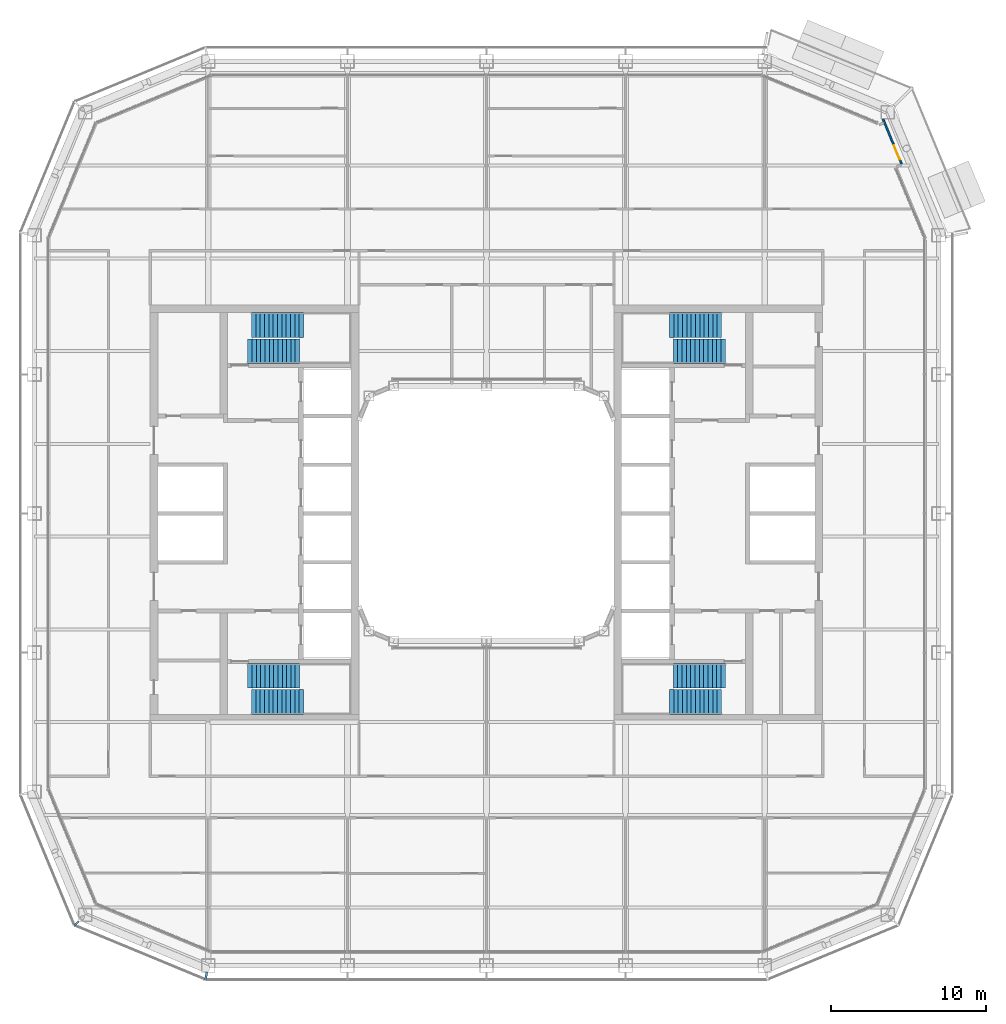
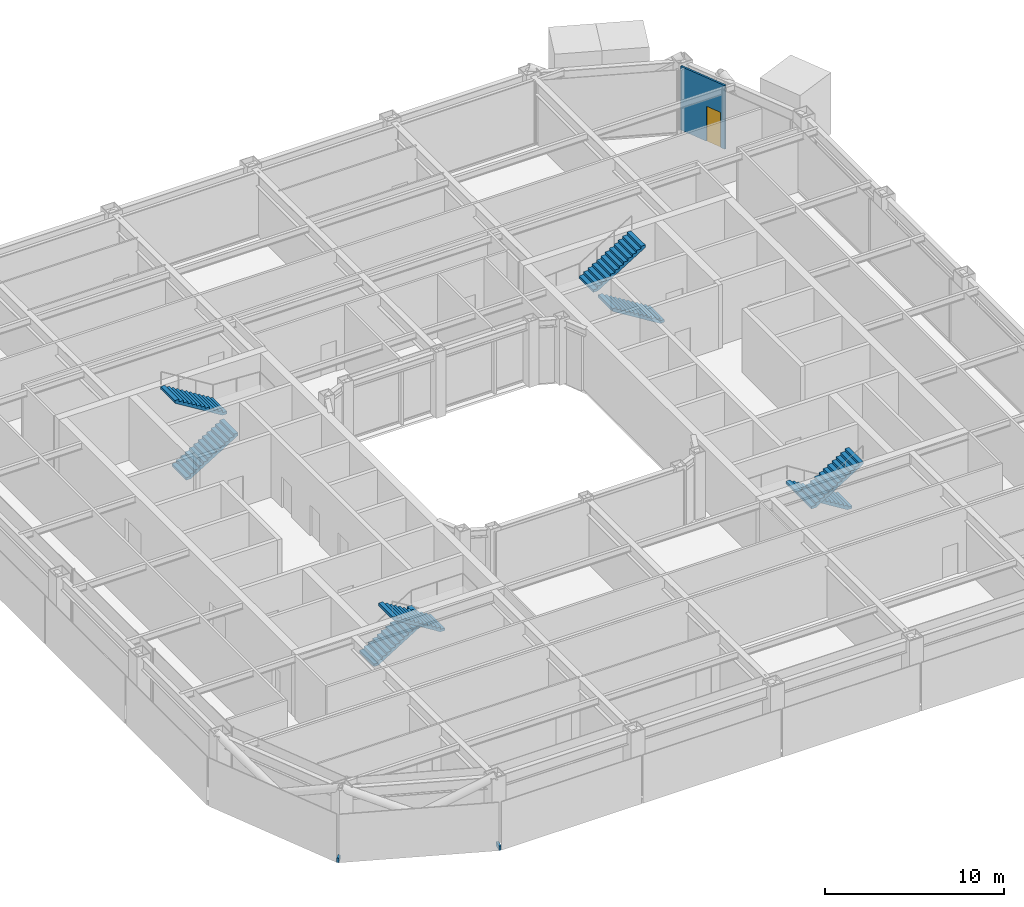
# One storey, part 15 of 24: 8 stair flights, 2 discrete accessories, 1 door, 1 wall, 1 opening, 4 elements without a shape of their own.
"""IFC4 building model written with IfcOpenShell, lengths in metres."""

from ifc_helpers import new_model, si_unit, direction, frame, frame_2d, origin, origin_2d, place, context, subcontext, project, spatial, polyline, rectangle, outline, extrude, material, layer, layer_set, type_object, element, fill, aggregate, save


model = new_model("IFC4")

# Units and contexts
model_context = context("Model", 3, precision=1e-05, world=origin(), true_north=direction((0.0, 1.0)))
body_context = subcontext(model_context, "Body", "Model", "MODEL_VIEW")
ifc_project = project(units=[si_unit("LENGTHUNIT", "METRE"), si_unit("AREAUNIT", "SQUARE_METRE"), si_unit("VOLUMEUNIT", "CUBIC_METRE"), si_unit("PLANEANGLEUNIT", "RADIAN"), si_unit("MASSUNIT", "GRAM", prefix="KILO")], contexts=[model_context])

# Site, building, storey
site_placement = place(None, origin())
site = spatial("IfcSite", under=ifc_project, at=site_placement, CompositionType="ELEMENT")
building_placement = place(site_placement, origin())
building = spatial("IfcBuilding", under=site, at=building_placement, Name="Siwar Civic Tower", CompositionType="ELEMENT")
storey_placement = place(building_placement, frame((0.0, 0.0, 149.699951171875)))
storey = spatial("IfcBuildingStorey", under=building, at=storey_placement, Name="L32", CompositionType="ELEMENT", Elevation=149.699951171875)

# Wall, opening, door
ifc_material_1 = material(Name="Aluminium clad insulated panel", Category="aluminium")
ifc_layer = layer(ifc_material_1, 0.1201171875)
ifc_layer_set = layer_set([ifc_layer], Name="Aluminium clad insulated panel")
wall_type = type_object("IfcWallType", Name="ENV-WALL-BAL", PredefinedType="STANDARD", material=ifc_layer_set)
wall_placement = place(storey_placement, frame((26.8515625, 22.614501953125, 0.0), z_axis=(0.0, 0.0, 1.0), x_axis=(-0.382691800707, 0.923876066186, 0.0)))
wall = element("IfcWall", 1, at=wall_placement, inside=storey, type_object=wall_type, Name="Balcony door wall NE1", PredefinedType="STANDARD", context=body_context, shape_type="SweptSolid", body=[
    extrude(rectangle(XDim=3.12841796875, YDim=0.1201171875, at=frame_2d((1.564208984375, 0.0))), origin(), (0.0, 0.0, 1.0), 4.35009765625),
])
opening_placement = place(wall_placement, frame((0.300048828125, 0.0, 0.0)))
opening = element("IfcOpeningElement", 2, at=opening_placement, cuts=wall, Name="Opening D-BAL", PredefinedType="OPENING", context=body_context, shape_type="SweptSolid", body=[
    extrude(rectangle(XDim=1.0, YDim=2.39990234375, at=frame_2d((0.5, 1.199951171875))), frame((0.0, 0.070068359375, 0.0), z_axis=(0.0, -1.0, 0.0), x_axis=(1.0, 0.0, 0.0)), (0.0, 0.0, 1.0), 0.14013671875),
])
ifc_material_2 = material(Name="Aluminium and glass", Category="aluminium")
door_type = type_object("IfcDoorType", Name="ENV-DOOR-BAL", OperationType="SINGLE_SWING_LEFT", PredefinedType="DOOR", material=ifc_material_2)
door_placement = place(opening_placement, origin())
door = element("IfcDoor", 3, at=door_placement, inside=storey, type_object=door_type, Name="Balcony door NE", OperationType="SINGLE_SWING_LEFT", OverallHeight=2.39990234375, OverallWidth=1.0, PredefinedType="DOOR", context=body_context, shape_type="SweptSolid", body=[
    extrude(rectangle(XDim=1.0, YDim=2.39990234375, at=frame_2d((0.5, 1.199951171875))), frame((0.0, 0.02490234375, 0.0), z_axis=(0.0, -1.0, 0.0), x_axis=(1.0, 0.0, 0.0)), (0.0, 0.0, 1.0), 0.050048828125),
])
fill(opening, door)

# Stair, stair flights
ifc_material_3 = material(Name="Concrete C40/50", Category="concrete")
stair_type = type_object("IfcStairType", Name="CORE-STAIR", PredefinedType="TWO_STRAIGHT_RUN_STAIR", material=ifc_material_3)
stair_1_placement = place(storey_placement, origin())
stair_1 = element("IfcStair", 4, at=stair_1_placement, inside=storey, type_object=stair_type, Name="Exit stair ST1", PredefinedType="TWO_STRAIGHT_RUN_STAIR")
ifc_material_4 = material(Name="Concrete C40/50", Category="concrete")
stair_flight_type = type_object("IfcStairFlightType", Name="CORE-STAIR-FLIGHT", PredefinedType="STRAIGHT", material=ifc_material_4)
stair_flight_1_placement = place(storey_placement, frame((-15.449951171875, 10.5, 0.0), z_axis=(0.0, 0.0, 1.0), x_axis=(1.0, 0.0, 0.0)))
stair_flight_1 = element("IfcStairFlight", 5, at=stair_flight_1_placement, type_object=stair_flight_type, Name="ST1 flight 1", NumberOfRisers=13, NumberOfTreads=12, PredefinedType="STRAIGHT", RiserHeight=0.173076923, TreadLength=0.28, context=body_context, shape_type="SweptSolid", body=[
    extrude(outline(polyline([(0.0, 0.0), (0.0, 0.173095703125), (0.280029296875, 0.173095703125), (0.280029296875, 0.34619140625), (0.56005859375, 0.34619140625), (0.56005859375, 0.519287109375), (0.840087890625, 0.519287109375), (0.840087890625, 0.6923828125), (1.1201171875, 0.6923828125), (1.1201171875, 0.865478515625), (1.39990234375, 0.865478515625), (1.39990234375, 1.03857421875), (1.679931640625, 1.03857421875), (1.679931640625, 1.21142578125), (1.9599609375, 1.21142578125), (1.9599609375, 1.384521484375), (2.239990234375, 1.384521484375), (2.239990234375, 1.5576171875), (2.52001953125, 1.5576171875), (2.52001953125, 1.730712890625), (2.800048828125, 1.730712890625), (2.800048828125, 1.90380859375), (3.080078125, 1.90380859375), (3.080078125, 2.076904296875), (3.360107421875, 2.076904296875), (3.360107421875, 2.25), (3.360107421875, 1.900634765625), (0.28515625, 0.0), (0.0, 0.0)])), frame((0.0, 0.800048828125, 0.0), z_axis=(0.0, -1.0, 0.0), x_axis=(1.0, 0.0, 0.0)), (0.0, 0.0, 1.0), 1.60009765625),
])
stair_flight_2_placement = place(storey_placement, frame((-11.840087890625, 12.199951171875, 2.25), z_axis=(0.0, 0.0, 1.0), x_axis=(-1.0, 0.0, 0.0)))
stair_flight_2 = element("IfcStairFlight", 6, at=stair_flight_2_placement, type_object=stair_flight_type, Name="ST1 flight 2", NumberOfRisers=13, NumberOfTreads=12, PredefinedType="STRAIGHT", RiserHeight=0.173076923, TreadLength=0.28, context=body_context, shape_type="SweptSolid", body=[
    extrude(outline(polyline([(0.0, 0.0), (0.0, 0.173095703125), (0.280029296875, 0.173095703125), (0.280029296875, 0.34619140625), (0.56005859375, 0.34619140625), (0.56005859375, 0.519287109375), (0.840087890625, 0.519287109375), (0.840087890625, 0.6923828125), (1.1201171875, 0.6923828125), (1.1201171875, 0.865478515625), (1.39990234375, 0.865478515625), (1.39990234375, 1.03857421875), (1.679931640625, 1.03857421875), (1.679931640625, 1.21142578125), (1.9599609375, 1.21142578125), (1.9599609375, 1.384521484375), (2.239990234375, 1.384521484375), (2.239990234375, 1.5576171875), (2.52001953125, 1.5576171875), (2.52001953125, 1.730712890625), (2.800048828125, 1.730712890625), (2.800048828125, 1.90380859375), (3.080078125, 1.90380859375), (3.080078125, 2.076904296875), (3.360107421875, 2.076904296875), (3.360107421875, 2.25), (3.360107421875, 1.900634765625), (0.28515625, 0.0), (0.0, 0.0)])), frame((0.0, 0.800048828125, 0.0), z_axis=(0.0, -1.0, 0.0), x_axis=(1.0, 0.0, 0.0)), (0.0, 0.0, 1.0), 1.60009765625),
])
aggregate(stair_1, [stair_flight_1, stair_flight_2])

stair_2_placement = place(storey_placement, origin())
stair_2 = element("IfcStair", 7, at=stair_2_placement, inside=storey, type_object=stair_type, Name="Exit stair ST2", PredefinedType="TWO_STRAIGHT_RUN_STAIR")
stair_flight_3_placement = place(storey_placement, frame((-15.449951171875, -10.5, 0.0), z_axis=(0.0, 0.0, 1.0), x_axis=(1.0, 0.0, 0.0)))
stair_flight_3 = element("IfcStairFlight", 8, at=stair_flight_3_placement, type_object=stair_flight_type, Name="ST2 flight 1", NumberOfRisers=13, NumberOfTreads=12, PredefinedType="STRAIGHT", RiserHeight=0.173076923, TreadLength=0.28, context=body_context, shape_type="SweptSolid", body=[
    extrude(outline(polyline([(0.0, 0.0), (0.0, 0.173095703125), (0.280029296875, 0.173095703125), (0.280029296875, 0.34619140625), (0.56005859375, 0.34619140625), (0.56005859375, 0.519287109375), (0.840087890625, 0.519287109375), (0.840087890625, 0.6923828125), (1.1201171875, 0.6923828125), (1.1201171875, 0.865478515625), (1.39990234375, 0.865478515625), (1.39990234375, 1.03857421875), (1.679931640625, 1.03857421875), (1.679931640625, 1.21142578125), (1.9599609375, 1.21142578125), (1.9599609375, 1.384521484375), (2.239990234375, 1.384521484375), (2.239990234375, 1.5576171875), (2.52001953125, 1.5576171875), (2.52001953125, 1.730712890625), (2.800048828125, 1.730712890625), (2.800048828125, 1.90380859375), (3.080078125, 1.90380859375), (3.080078125, 2.076904296875), (3.360107421875, 2.076904296875), (3.360107421875, 2.25), (3.360107421875, 1.900634765625), (0.28515625, 0.0), (0.0, 0.0)])), frame((0.0, 0.800048828125, 0.0), z_axis=(0.0, -1.0, 0.0), x_axis=(1.0, 0.0, 0.0)), (0.0, 0.0, 1.0), 1.60009765625),
])
stair_flight_4_placement = place(storey_placement, frame((-11.840087890625, -12.199951171875, 2.25), z_axis=(0.0, 0.0, 1.0), x_axis=(-1.0, 0.0, 0.0)))
stair_flight_4 = element("IfcStairFlight", 9, at=stair_flight_4_placement, type_object=stair_flight_type, Name="ST2 flight 2", NumberOfRisers=13, NumberOfTreads=12, PredefinedType="STRAIGHT", RiserHeight=0.173076923, TreadLength=0.28, context=body_context, shape_type="SweptSolid", body=[
    extrude(outline(polyline([(0.0, 0.0), (0.0, 0.173095703125), (0.280029296875, 0.173095703125), (0.280029296875, 0.34619140625), (0.56005859375, 0.34619140625), (0.56005859375, 0.519287109375), (0.840087890625, 0.519287109375), (0.840087890625, 0.6923828125), (1.1201171875, 0.6923828125), (1.1201171875, 0.865478515625), (1.39990234375, 0.865478515625), (1.39990234375, 1.03857421875), (1.679931640625, 1.03857421875), (1.679931640625, 1.21142578125), (1.9599609375, 1.21142578125), (1.9599609375, 1.384521484375), (2.239990234375, 1.384521484375), (2.239990234375, 1.5576171875), (2.52001953125, 1.5576171875), (2.52001953125, 1.730712890625), (2.800048828125, 1.730712890625), (2.800048828125, 1.90380859375), (3.080078125, 1.90380859375), (3.080078125, 2.076904296875), (3.360107421875, 2.076904296875), (3.360107421875, 2.25), (3.360107421875, 1.900634765625), (0.28515625, 0.0), (0.0, 0.0)])), frame((0.0, 0.800048828125, 0.0), z_axis=(0.0, -1.0, 0.0), x_axis=(1.0, 0.0, 0.0)), (0.0, 0.0, 1.0), 1.60009765625),
])
aggregate(stair_2, [stair_flight_3, stair_flight_4])

stair_3_placement = place(storey_placement, origin())
stair_3 = element("IfcStair", 10, at=stair_3_placement, inside=storey, type_object=stair_type, Name="Exit stair ST3", PredefinedType="TWO_STRAIGHT_RUN_STAIR")
stair_flight_5_placement = place(storey_placement, frame((15.449951171875, 10.5, 0.0), z_axis=(0.0, 0.0, 1.0), x_axis=(-1.0, 0.0, 0.0)))
stair_flight_5 = element("IfcStairFlight", 11, at=stair_flight_5_placement, type_object=stair_flight_type, Name="ST3 flight 1", NumberOfRisers=13, NumberOfTreads=12, PredefinedType="STRAIGHT", RiserHeight=0.173076923, TreadLength=0.28, context=body_context, shape_type="SweptSolid", body=[
    extrude(outline(polyline([(0.0, 0.0), (0.0, 0.173095703125), (0.280029296875, 0.173095703125), (0.280029296875, 0.34619140625), (0.56005859375, 0.34619140625), (0.56005859375, 0.519287109375), (0.840087890625, 0.519287109375), (0.840087890625, 0.6923828125), (1.1201171875, 0.6923828125), (1.1201171875, 0.865478515625), (1.39990234375, 0.865478515625), (1.39990234375, 1.03857421875), (1.679931640625, 1.03857421875), (1.679931640625, 1.21142578125), (1.9599609375, 1.21142578125), (1.9599609375, 1.384521484375), (2.239990234375, 1.384521484375), (2.239990234375, 1.5576171875), (2.52001953125, 1.5576171875), (2.52001953125, 1.730712890625), (2.800048828125, 1.730712890625), (2.800048828125, 1.90380859375), (3.080078125, 1.90380859375), (3.080078125, 2.076904296875), (3.360107421875, 2.076904296875), (3.360107421875, 2.25), (3.360107421875, 1.900634765625), (0.28515625, 0.0), (0.0, 0.0)])), frame((0.0, 0.800048828125, 0.0), z_axis=(0.0, -1.0, 0.0), x_axis=(1.0, 0.0, 0.0)), (0.0, 0.0, 1.0), 1.60009765625),
])
stair_flight_6_placement = place(storey_placement, frame((11.840087890625, 12.199951171875, 2.25), z_axis=(0.0, 0.0, 1.0), x_axis=(1.0, 0.0, 0.0)))
stair_flight_6 = element("IfcStairFlight", 12, at=stair_flight_6_placement, type_object=stair_flight_type, Name="ST3 flight 2", NumberOfRisers=13, NumberOfTreads=12, PredefinedType="STRAIGHT", RiserHeight=0.173076923, TreadLength=0.28, context=body_context, shape_type="SweptSolid", body=[
    extrude(outline(polyline([(0.0, 0.0), (0.0, 0.173095703125), (0.280029296875, 0.173095703125), (0.280029296875, 0.34619140625), (0.56005859375, 0.34619140625), (0.56005859375, 0.519287109375), (0.840087890625, 0.519287109375), (0.840087890625, 0.6923828125), (1.1201171875, 0.6923828125), (1.1201171875, 0.865478515625), (1.39990234375, 0.865478515625), (1.39990234375, 1.03857421875), (1.679931640625, 1.03857421875), (1.679931640625, 1.21142578125), (1.9599609375, 1.21142578125), (1.9599609375, 1.384521484375), (2.239990234375, 1.384521484375), (2.239990234375, 1.5576171875), (2.52001953125, 1.5576171875), (2.52001953125, 1.730712890625), (2.800048828125, 1.730712890625), (2.800048828125, 1.90380859375), (3.080078125, 1.90380859375), (3.080078125, 2.076904296875), (3.360107421875, 2.076904296875), (3.360107421875, 2.25), (3.360107421875, 1.900634765625), (0.28515625, 0.0), (0.0, 0.0)])), frame((0.0, 0.800048828125, 0.0), z_axis=(0.0, -1.0, 0.0), x_axis=(1.0, 0.0, 0.0)), (0.0, 0.0, 1.0), 1.60009765625),
])
aggregate(stair_3, [stair_flight_5, stair_flight_6])

stair_4_placement = place(storey_placement, origin())
stair_4 = element("IfcStair", 13, at=stair_4_placement, inside=storey, type_object=stair_type, Name="Exit stair ST4", PredefinedType="TWO_STRAIGHT_RUN_STAIR")
stair_flight_7_placement = place(storey_placement, frame((15.449951171875, -10.5, 0.0), z_axis=(0.0, 0.0, 1.0), x_axis=(-1.0, 0.0, 0.0)))
stair_flight_7 = element("IfcStairFlight", 14, at=stair_flight_7_placement, type_object=stair_flight_type, Name="ST4 flight 1", NumberOfRisers=13, NumberOfTreads=12, PredefinedType="STRAIGHT", RiserHeight=0.173076923, TreadLength=0.28, context=body_context, shape_type="SweptSolid", body=[
    extrude(outline(polyline([(0.0, 0.0), (0.0, 0.173095703125), (0.280029296875, 0.173095703125), (0.280029296875, 0.34619140625), (0.56005859375, 0.34619140625), (0.56005859375, 0.519287109375), (0.840087890625, 0.519287109375), (0.840087890625, 0.6923828125), (1.1201171875, 0.6923828125), (1.1201171875, 0.865478515625), (1.39990234375, 0.865478515625), (1.39990234375, 1.03857421875), (1.679931640625, 1.03857421875), (1.679931640625, 1.21142578125), (1.9599609375, 1.21142578125), (1.9599609375, 1.384521484375), (2.239990234375, 1.384521484375), (2.239990234375, 1.5576171875), (2.52001953125, 1.5576171875), (2.52001953125, 1.730712890625), (2.800048828125, 1.730712890625), (2.800048828125, 1.90380859375), (3.080078125, 1.90380859375), (3.080078125, 2.076904296875), (3.360107421875, 2.076904296875), (3.360107421875, 2.25), (3.360107421875, 1.900634765625), (0.28515625, 0.0), (0.0, 0.0)])), frame((0.0, 0.800048828125, 0.0), z_axis=(0.0, -1.0, 0.0), x_axis=(1.0, 0.0, 0.0)), (0.0, 0.0, 1.0), 1.60009765625),
])
stair_flight_8_placement = place(storey_placement, frame((11.840087890625, -12.199951171875, 2.25), z_axis=(0.0, 0.0, 1.0), x_axis=(1.0, 0.0, 0.0)))
stair_flight_8 = element("IfcStairFlight", 15, at=stair_flight_8_placement, type_object=stair_flight_type, Name="ST4 flight 2", NumberOfRisers=13, NumberOfTreads=12, PredefinedType="STRAIGHT", RiserHeight=0.173076923, TreadLength=0.28, context=body_context, shape_type="SweptSolid", body=[
    extrude(outline(polyline([(0.0, 0.0), (0.0, 0.173095703125), (0.280029296875, 0.173095703125), (0.280029296875, 0.34619140625), (0.56005859375, 0.34619140625), (0.56005859375, 0.519287109375), (0.840087890625, 0.519287109375), (0.840087890625, 0.6923828125), (1.1201171875, 0.6923828125), (1.1201171875, 0.865478515625), (1.39990234375, 0.865478515625), (1.39990234375, 1.03857421875), (1.679931640625, 1.03857421875), (1.679931640625, 1.21142578125), (1.9599609375, 1.21142578125), (1.9599609375, 1.384521484375), (2.239990234375, 1.384521484375), (2.239990234375, 1.5576171875), (2.52001953125, 1.5576171875), (2.52001953125, 1.730712890625), (2.800048828125, 1.730712890625), (2.800048828125, 1.90380859375), (3.080078125, 1.90380859375), (3.080078125, 2.076904296875), (3.360107421875, 2.076904296875), (3.360107421875, 2.25), (3.360107421875, 1.900634765625), (0.28515625, 0.0), (0.0, 0.0)])), frame((0.0, 0.800048828125, 0.0), z_axis=(0.0, -1.0, 0.0), x_axis=(1.0, 0.0, 0.0)), (0.0, 0.0, 1.0), 1.60009765625),
])
aggregate(stair_4, [stair_flight_7, stair_flight_8])

# Discrete accessories
ifc_material_5 = material(Name="Stainless steel 316", Category="steel")
discrete_accessory_type = type_object("IfcDiscreteAccessoryType", Name="ENV-BRACKET", PredefinedType="BRACKET", material=ifc_material_5)
discrete_accessory_1_placement = place(storey_placement, frame((-18.13232421875, -29.915283203125, -0.14990234375), z_axis=(0.0, 0.0, 1.0), x_axis=(-0.195090322016, -0.980785280403, 0.0)))
element("IfcDiscreteAccessory", 16, at=discrete_accessory_1_placement, inside=storey, type_object=discrete_accessory_type, Name="Bracket outer skin joint V00", PredefinedType="BRACKET", context=body_context, shape_type="SweptSolid", body=[
    extrude(rectangle(XDim=0.478759765625, YDim=0.13720703125, at=origin_2d()), origin(), (0.0, 0.0, 1.0), 0.300048828125),
])
discrete_accessory_2_placement = place(storey_placement, frame((-26.517333984375, -26.517333984375, -0.14990234375), z_axis=(0.0, 0.0, 1.0), x_axis=(-0.707106781187, -0.707106781187, 0.0)))
element("IfcDiscreteAccessory", 17, at=discrete_accessory_2_placement, inside=storey, type_object=discrete_accessory_type, Name="Bracket outer skin joint V11", PredefinedType="BRACKET", context=body_context, shape_type="SweptSolid", body=[
    extrude(rectangle(XDim=0.357666015625, YDim=0.12939453125, at=origin_2d()), origin(), (0.0, 0.0, 1.0), 0.300048828125),
])

save(model, "model.ifc")
